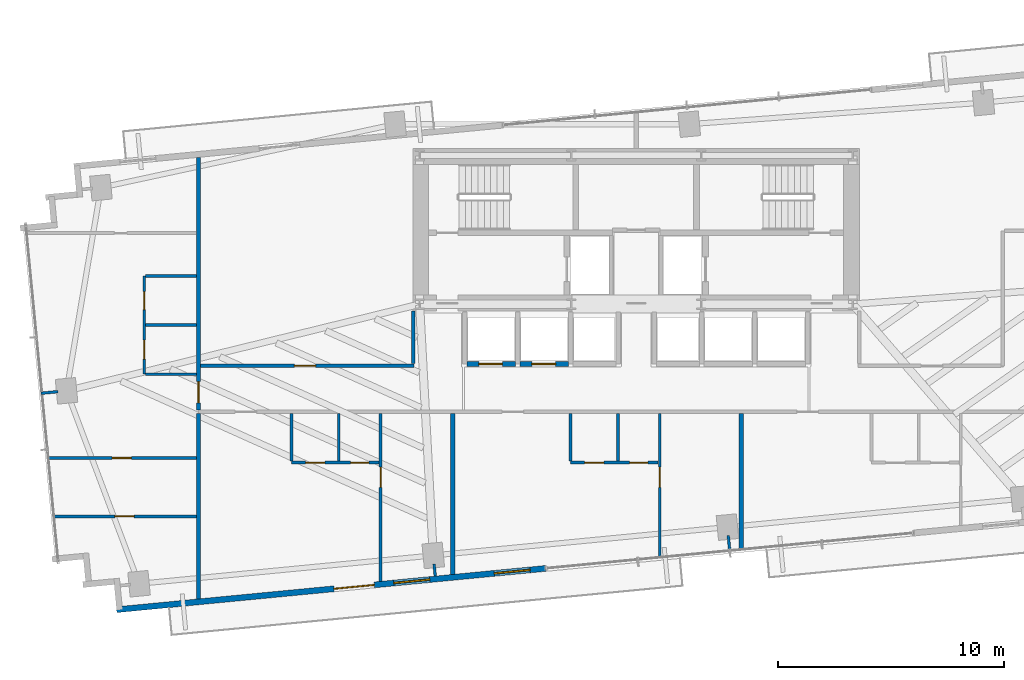
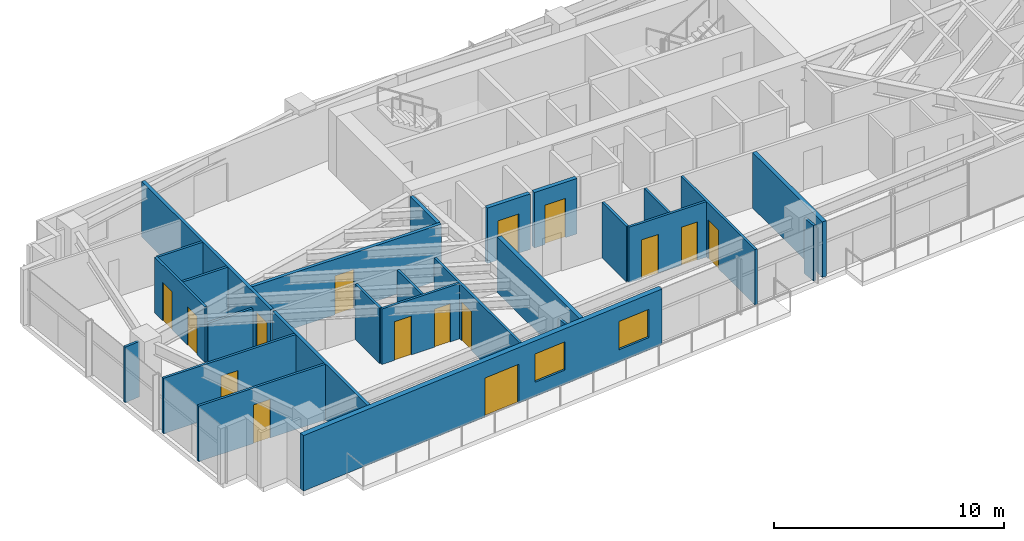
# One storey, part 21 of 27: 26 walls, 15 doors, 2 windows, 17 openings.
"""IFC4 building model written with IfcOpenShell, lengths in metres."""

from ifc_helpers import new_model, si_unit, direction, frame, frame_2d, origin, place, context, subcontext, project, spatial, rectangle, extrude, source, transform, mapped, material, layer, layer_set, type_object, type_shapes, element, fill, save


model = new_model("IFC4")

# Units and contexts
model_context = context("Model", 3, precision=1e-05, world=origin(), true_north=direction((0.0, 1.0)))
body_context = subcontext(model_context, "Body", "Model", "MODEL_VIEW")
ifc_project = project(units=[si_unit("LENGTHUNIT", "METRE"), si_unit("AREAUNIT", "SQUARE_METRE"), si_unit("VOLUMEUNIT", "CUBIC_METRE"), si_unit("PLANEANGLEUNIT", "RADIAN"), si_unit("MASSUNIT", "GRAM", prefix="KILO")], contexts=[model_context])

# Site, building, storey
site_placement = place(None, origin())
site = spatial("IfcSite", under=ifc_project, at=site_placement, CompositionType="ELEMENT")
building_placement = place(site_placement, origin())
building = spatial("IfcBuilding", under=site, at=building_placement, Name="Astriad Promenade Condominiums", CompositionType="ELEMENT")
storey_placement = place(building_placement, frame((0.0, 0.0, 93.800048828125)))
storey = spatial("IfcBuildingStorey", under=building, at=storey_placement, Name="L26", CompositionType="ELEMENT", Elevation=93.800048828125)

# Wall
ifc_material_1 = material(Name="Fire-Rated Gypsum Partition")
ifc_layer_1 = layer(ifc_material_1, 0.159912109375)
ifc_layer_set_1 = layer_set([ifc_layer_1], Name="Fire-Rated Gypsum Partition")
wall_type_1 = type_object("IfcWallType", Name="WALL-CORR-160", PredefinedType="PARTITIONING", material=ifc_layer_set_1)
wall_1_placement = place(storey_placement, frame((16.60009765625, 4.3408203125, 0.0), z_axis=(0.0, 0.0, 1.0), x_axis=(0.0, 1.0, 0.0)))
element("IfcWall", 1, at=wall_1_placement, inside=storey, type_object=wall_type_1, Name="PT-COR-W-L26", PredefinedType="PARTITIONING", context=body_context, shape_type="SweptSolid", body=[
    extrude(rectangle(XDim=8.207275390625, YDim=0.159912109375, at=frame_2d((4.103515625, 0.0))), origin(), (0.0, 0.0, 1.0), 2.93994140625),
])

# Wall, opening, door
wall_2_placement = place(storey_placement, frame((16.60009765625, 12.7119140625, 0.0), z_axis=(0.0, 0.0, 1.0), x_axis=(0.0, 1.0, 0.0)))
wall_2 = element("IfcWall", 2, at=wall_2_placement, inside=storey, type_object=wall_type_1, Name="PT-COR-W-L26-S2", PredefinedType="PARTITIONING", context=body_context, shape_type="SweptSolid", body=[
    extrude(rectangle(XDim=11.195068359375, YDim=0.159912109375, at=frame_2d((5.59765625, 0.0))), origin(), (0.0, 0.0, 1.0), 2.93994140625),
])
opening_1_placement = place(wall_2_placement, frame((0.31201171875, 0.0, 0.0)))
opening_1 = element("IfcOpeningElement", 3, at=opening_1_placement, cuts=wall_2, Name="Opening FD60-APT-095", PredefinedType="OPENING", context=body_context, shape_type="SweptSolid", body=[
    extrude(rectangle(XDim=0.949951171875, YDim=2.06005859375, at=frame_2d((0.47509765625, 1.030029296875))), frame((0.0, 0.08984375, 0.0), z_axis=(0.0, -1.0, 0.0), x_axis=(1.0, 0.0, 0.0)), (0.0, 0.0, 1.0), 0.179931640625),
])
ifc_material_2 = material(Name="Solid-Core Acoustic Timber Residence Entry Door", Category="wood")
door_type_1 = type_object("IfcDoorType", Name="FD60-APT-095", OperationType="NOTDEFINED", PredefinedType="DOOR", material=ifc_material_2)
shared_shape_1 = source(origin(), body_context, "Body", "SweptSolid", [
    extrude(rectangle(XDim=0.949951171875, YDim=2.06005859375, at=frame_2d((0.47509765625, 1.030029296875))), frame((0.0, 0.02490234375, 0.0), z_axis=(0.0, -1.0, 0.0), x_axis=(1.0, 0.0, 0.0)), (0.0, 0.0, 1.0), 0.050048828125),
])
type_shapes(door_type_1, [shared_shape_1])
door_1_placement = place(opening_1_placement, origin())
door_1 = element("IfcDoor", 4, at=door_1_placement, inside=storey, type_object=door_type_1, Name="D-ENT-L26-W1", OperationType="SINGLE_SWING_LEFT", OverallHeight=2.06005859375, OverallWidth=0.949951171875, PredefinedType="DOOR", context=body_context, shape_type="MappedRepresentation", body=[
    mapped(shared_shape_1, transform((0.0, 0.0, 0.0), scale=1.0)),
])
fill(opening_1, door_1)

wall_3_placement = place(storey_placement, frame((16.681884765625, 14.679931640625, 0.0), z_axis=(0.0, 0.0, 1.0), x_axis=(1.0, 0.0, 0.0)))
wall_3 = element("IfcWall", 5, at=wall_3_placement, inside=storey, type_object=wall_type_1, Name="PT-FLK-NW-L26", PredefinedType="PARTITIONING", context=body_context, shape_type="SweptSolid", body=[
    extrude(rectangle(XDim=9.47802734375, YDim=0.159912109375, at=frame_2d((4.739013671875, 0.0))), origin(), (0.0, 0.0, 1.0), 2.93994140625),
])
opening_2_placement = place(wall_3_placement, frame((4.1630859375, 0.0, 0.0)))
opening_2 = element("IfcOpeningElement", 6, at=opening_2_placement, cuts=wall_3, Name="Opening FD60-APT-095", PredefinedType="OPENING", context=body_context, shape_type="SweptSolid", body=[
    extrude(rectangle(XDim=0.949951171875, YDim=2.06005859375, at=frame_2d((0.47509765625, 1.030029296875))), frame((0.0, 0.08984375, 0.0), z_axis=(0.0, -1.0, 0.0), x_axis=(1.0, 0.0, 0.0)), (0.0, 0.0, 1.0), 0.179931640625),
])
door_2_placement = place(opening_2_placement, origin())
door_2 = element("IfcDoor", 7, at=door_2_placement, inside=storey, type_object=door_type_1, Name="D-NWA-L26", OperationType="SINGLE_SWING_RIGHT", OverallHeight=2.06005859375, OverallWidth=0.949951171875, PredefinedType="DOOR", context=body_context, shape_type="MappedRepresentation", body=[
    mapped(shared_shape_1, transform((0.0, 0.0, 0.0), scale=1.0)),
])
fill(opening_2, door_2)

# Walls
wall_4_placement = place(storey_placement, frame((26.1201171875, 14.761962890625, 0.0), z_axis=(0.0, 0.0, 1.0), x_axis=(0.0, 1.0, 0.0)))
element("IfcWall", 8, at=wall_4_placement, inside=storey, type_object=wall_type_1, Name="PT-WSPUR-W-L26", PredefinedType="PARTITIONING", context=body_context, shape_type="SweptSolid", body=[
    extrude(rectangle(XDim=2.3359375, YDim=0.159912109375, at=frame_2d((1.16796875, 0.0))), origin(), (0.0, 0.0, 1.0), 2.93994140625),
])
ifc_material_3 = material(Name="Acoustic Double-Stud Gypsum Partition")
ifc_layer_2 = layer(ifc_material_3, 0.199951171875)
ifc_layer_set_2 = layer_set([ifc_layer_2], Name="Acoustic Double-Stud Gypsum Partition")
wall_type_2 = type_object("IfcWallType", Name="WALL-DEMISING-200", PredefinedType="PARTITIONING", material=ifc_layer_set_2)
wall_5_placement = place(storey_placement, frame((27.8798828125, 5.427001953125, 0.0), z_axis=(0.0, 0.0, 1.0), x_axis=(0.0, 1.0, 0.0)))
element("IfcWall", 9, at=wall_5_placement, inside=storey, type_object=wall_type_2, Name="PT-DEM-S1-L26", PredefinedType="PARTITIONING", context=body_context, shape_type="SweptSolid", body=[
    extrude(rectangle(XDim=7.12109375, YDim=0.199951171875, at=frame_2d((3.560546875, 0.0))), origin(), (0.0, 0.0, 1.0), 2.93994140625),
])
wall_6_placement = place(storey_placement, frame((40.6640625, 6.47509765625, 0.0), z_axis=(0.0, 0.0, 1.0), x_axis=(0.0, 1.0, 0.0)))
element("IfcWall", 10, at=wall_6_placement, inside=storey, type_object=wall_type_2, Name="PT-DEM-S2-L26", PredefinedType="PARTITIONING", context=body_context, shape_type="SweptSolid", body=[
    extrude(rectangle(XDim=6.072998046875, YDim=0.199951171875, at=frame_2d((3.03662109375, 0.0))), origin(), (0.0, 0.0, 1.0), 2.93994140625),
])

# Wall, openings, door, windows
ifc_material_4 = material(Name="Precast concrete C50/60", Category="concrete")
ifc_layer_3 = layer(ifc_material_4, 0.260009765625)
ifc_layer_set_3 = layer_set([ifc_layer_3], Name="Precast concrete C50/60")
wall_type_3 = type_object("IfcWallType", Name="WALL-EXT-TWR-260", PredefinedType="STANDARD", material=ifc_layer_set_3)
wall_7_placement = place(storey_placement, frame((31.99365234375, 5.6904296875, 0.0), z_axis=(0.0, 0.0, 1.0), x_axis=(-0.995396521236, -0.095842399342, 0.0)))
wall_7 = element("IfcWall", 11, at=wall_7_placement, inside=storey, type_object=wall_type_3, Name="W-EXT-L26-S2", PredefinedType="STANDARD", context=body_context, shape_type="SweptSolid", body=[
    extrude(rectangle(XDim=19.10986328125, YDim=0.260009765625, at=frame_2d((9.554931640625, 0.0))), origin(), (0.0, 0.0, 1.0), 2.93994140625),
])
opening_3_placement = place(wall_7_placement, frame((7.6298828125, 0.0, 0.0)))
opening_3 = element("IfcOpeningElement", 12, at=opening_3_placement, cuts=wall_7, Name="Opening BD-1822-SLD", PredefinedType="OPENING", context=body_context, shape_type="SweptSolid", body=[
    extrude(rectangle(XDim=1.800048828125, YDim=2.06005859375, at=frame_2d((0.89990234375, 1.030029296875))), frame((0.0, 0.139892578125, 0.0), z_axis=(0.0, -1.0, 0.0), x_axis=(1.0, 0.0, 0.0)), (0.0, 0.0, 1.0), 0.280029296875),
])
opening_4_placement = place(wall_7_placement, frame((0.699951171875, 0.0, 0.64990234375)))
opening_4 = element("IfcOpeningElement", 13, at=opening_4_placement, cuts=wall_7, Name="Opening WIN-TWR-1620", PredefinedType="OPENING", context=body_context, shape_type="SweptSolid", body=[
    extrude(rectangle(XDim=1.60009765625, YDim=1.5, at=frame_2d((0.800048828125, 0.75))), frame((0.0, 0.139892578125, 0.0), z_axis=(0.0, -1.0, 0.0), x_axis=(1.0, 0.0, 0.0)), (0.0, 0.0, 1.0), 0.280029296875),
])
opening_5_placement = place(wall_7_placement, frame((5.1669921875, 0.0, 0.75)))
opening_5 = element("IfcOpeningElement", 14, at=opening_5_placement, cuts=wall_7, Name="Opening WIN-TWR-1620", PredefinedType="OPENING", context=body_context, shape_type="SweptSolid", body=[
    extrude(rectangle(XDim=1.60009765625, YDim=1.5, at=frame_2d((0.800048828125, 0.75))), frame((0.0, 0.139892578125, 0.0), z_axis=(0.0, -1.0, 0.0), x_axis=(1.0, 0.0, 0.0)), (0.0, 0.0, 1.0), 0.280029296875),
])
ifc_material_5 = material(Name="Thermally Broken Aluminium Sliding Balcony Door", Category="aluminium")
door_type_2 = type_object("IfcDoorType", Name="BD-1822-SLD", OperationType="NOTDEFINED", PredefinedType="DOOR", material=ifc_material_5)
shared_shape_2 = source(origin(), body_context, "Body", "SweptSolid", [
    extrude(rectangle(XDim=1.800048828125, YDim=2.06005859375, at=frame_2d((0.89990234375, 1.030029296875))), frame((0.0, 0.02490234375, 0.0), z_axis=(0.0, -1.0, 0.0), x_axis=(1.0, 0.0, 0.0)), (0.0, 0.0, 1.0), 0.050048828125),
])
type_shapes(door_type_2, [shared_shape_2])
door_3_placement = place(opening_3_placement, origin())
door_3 = element("IfcDoor", 15, at=door_3_placement, inside=storey, type_object=door_type_2, Name="BD-L26-SW", OperationType="SLIDING_TO_LEFT", OverallHeight=2.06005859375, OverallWidth=1.800048828125, PredefinedType="DOOR", context=body_context, shape_type="MappedRepresentation", body=[
    mapped(shared_shape_2, transform((0.0, 0.0, 0.0), scale=1.0)),
])
fill(opening_3, door_3)
ifc_material_6 = material(Name="Dark Tinted Triple-Glazed Aluminium Window", Category="aluminium")
window_type = type_object("IfcWindowType", Name="WIN-TWR-1620", PartitioningType="SINGLE_PANEL", PredefinedType="WINDOW", material=ifc_material_6)
shared_shape_3 = source(origin(), body_context, "Body", "SweptSolid", [
    extrude(rectangle(XDim=1.60009765625, YDim=1.5, at=frame_2d((0.800048828125, 0.75))), frame((0.0, 0.030029296875, 0.0), z_axis=(0.0, -1.0, 0.0), x_axis=(1.0, 0.0, 0.0)), (0.0, 0.0, 1.0), 0.06005859375),
])
type_shapes(window_type, [shared_shape_3])
window_1_placement = place(opening_4_placement, origin())
window_1 = element("IfcWindow", 16, at=window_1_placement, inside=storey, type_object=window_type, Name="WIN-L26-SW", OverallHeight=1.5, OverallWidth=1.60009765625, PartitioningType="SINGLE_PANEL", PredefinedType="WINDOW", context=body_context, shape_type="MappedRepresentation", body=[
    mapped(shared_shape_3, transform((0.0, 0.0, 0.0), scale=1.0)),
])
fill(opening_4, window_1)
window_2_placement = place(opening_5_placement, origin())
window_2 = element("IfcWindow", 17, at=window_2_placement, inside=storey, type_object=window_type, Name="WIN-DW-L26-S1-BD1", OverallHeight=1.5, OverallWidth=1.60009765625, PartitioningType="SINGLE_PANEL", PredefinedType="WINDOW", context=body_context, shape_type="MappedRepresentation", body=[
    mapped(shared_shape_3, transform((0.0, 0.0, 0.0), scale=1.0)),
])
fill(opening_5, window_2)

# Wall, opening, door
ifc_material_7 = material(Name="Acoustic Metal-Stud Gypsum Partition")
ifc_layer_4 = layer(ifc_material_7, 0.1201171875)
ifc_layer_set_4 = layer_set([ifc_layer_4], Name="Acoustic Metal-Stud Gypsum Partition")
wall_type_4 = type_object("IfcWallType", Name="WALL-PART-120", PredefinedType="PARTITIONING", material=ifc_layer_set_4)
wall_8_placement = place(storey_placement, frame((24.672119140625, 5.117919921875, 0.0), z_axis=(0.0, 0.0, 1.0), x_axis=(0.0, 1.0, 0.0)))
wall_8 = element("IfcWall", 18, at=wall_8_placement, inside=storey, type_object=wall_type_4, Name="PT-L26-S1-BD1", PredefinedType="PARTITIONING", context=body_context, shape_type="SweptSolid", body=[
    extrude(rectangle(XDim=7.43017578125, YDim=0.1201171875, at=frame_2d((3.715087890625, 0.0))), origin(), (0.0, 0.0, 1.0), 2.93994140625),
])
opening_6_placement = place(wall_8_placement, frame((4.162109375, 0.0, 0.0)))
opening_6 = element("IfcOpeningElement", 19, at=opening_6_placement, cuts=wall_8, Name="Opening D-INT-090", PredefinedType="OPENING", context=body_context, shape_type="SweptSolid", body=[
    extrude(rectangle(XDim=0.89990234375, YDim=2.050048828125, at=frame_2d((0.449951171875, 1.02490234375))), frame((0.0, 0.070068359375, 0.0), z_axis=(0.0, -1.0, 0.0), x_axis=(1.0, 0.0, 0.0)), (0.0, 0.0, 1.0), 0.14013671875),
])
ifc_material_8 = material(Name="Painted Solid-Core Timber Bedroom Door", Category="wood")
door_type_3 = type_object("IfcDoorType", Name="D-INT-090", OperationType="NOTDEFINED", PredefinedType="DOOR", material=ifc_material_8)
shared_shape_4 = source(origin(), body_context, "Body", "SweptSolid", [
    extrude(rectangle(XDim=0.89990234375, YDim=2.050048828125, at=frame_2d((0.449951171875, 1.02490234375))), frame((0.0, 0.02490234375, 0.0), z_axis=(0.0, -1.0, 0.0), x_axis=(1.0, 0.0, 0.0)), (0.0, 0.0, 1.0), 0.050048828125),
])
type_shapes(door_type_3, [shared_shape_4])
door_4_placement = place(opening_6_placement, origin())
door_4 = element("IfcDoor", 20, at=door_4_placement, inside=storey, type_object=door_type_3, Name="D-BD1-L26-S1", OperationType="SINGLE_SWING_RIGHT", OverallHeight=2.050048828125, OverallWidth=0.89990234375, PredefinedType="DOOR", context=body_context, shape_type="MappedRepresentation", body=[
    mapped(shared_shape_4, transform((0.0, 0.0, 0.0), scale=1.0)),
])
fill(opening_6, door_4)

# Wall, openings, doors
wall_9_placement = place(storey_placement, frame((20.721923828125, 10.3798828125, 0.0), z_axis=(0.0, 0.0, 1.0), x_axis=(1.0, 0.0, 0.0)))
wall_9 = element("IfcWall", 21, at=wall_9_placement, inside=storey, type_object=wall_type_4, Name="PT-L26-S1-PS", PredefinedType="PARTITIONING", context=body_context, shape_type="SweptSolid", body=[
    extrude(rectangle(XDim=3.88818359375, YDim=0.1201171875, at=frame_2d((1.944091796875, 0.0))), origin(), (0.0, 0.0, 1.0), 2.93994140625),
])
opening_7_placement = place(wall_9_placement, frame((0.625, 0.0, 0.0)))
opening_7 = element("IfcOpeningElement", 22, at=opening_7_placement, cuts=wall_9, Name="Opening D-INT-085", PredefinedType="OPENING", context=body_context, shape_type="SweptSolid", body=[
    extrude(rectangle(XDim=0.85009765625, YDim=2.050048828125, at=frame_2d((0.425048828125, 1.02490234375))), frame((0.0, 0.070068359375, 0.0), z_axis=(0.0, -1.0, 0.0), x_axis=(1.0, 0.0, 0.0)), (0.0, 0.0, 1.0), 0.14013671875),
])
opening_8_placement = place(wall_9_placement, frame((2.625, 0.0, 0.0)))
opening_8 = element("IfcOpeningElement", 23, at=opening_8_placement, cuts=wall_9, Name="Opening D-WET-080", PredefinedType="OPENING", context=body_context, shape_type="SweptSolid", body=[
    extrude(rectangle(XDim=0.800048828125, YDim=2.02001953125, at=frame_2d((0.39990234375, 1.010009765625))), frame((0.0, 0.070068359375, 0.0), z_axis=(0.0, -1.0, 0.0), x_axis=(1.0, 0.0, 0.0)), (0.0, 0.0, 1.0), 0.14013671875),
])
ifc_material_9 = material(Name="Moisture-Resistant Timber Bathroom Door", Category="wood")
door_type_4 = type_object("IfcDoorType", Name="D-WET-080", OperationType="NOTDEFINED", PredefinedType="DOOR", material=ifc_material_9)
shared_shape_5 = source(origin(), body_context, "Body", "SweptSolid", [
    extrude(rectangle(XDim=0.800048828125, YDim=2.02001953125, at=frame_2d((0.39990234375, 1.010009765625))), frame((0.0, 0.02490234375, 0.0), z_axis=(0.0, -1.0, 0.0), x_axis=(1.0, 0.0, 0.0)), (0.0, 0.0, 1.0), 0.050048828125),
])
type_shapes(door_type_4, [shared_shape_5])
door_5_placement = place(opening_8_placement, origin())
door_5 = element("IfcDoor", 24, at=door_5_placement, inside=storey, type_object=door_type_4, Name="D-BTH-L26-S1", OperationType="SINGLE_SWING_RIGHT", OverallHeight=2.02001953125, OverallWidth=0.800048828125, PredefinedType="DOOR", context=body_context, shape_type="MappedRepresentation", body=[
    mapped(shared_shape_5, transform((0.0, 0.0, 0.0), scale=1.0)),
])
fill(opening_8, door_5)
ifc_material_10 = material(Name="Painted Solid-Core Timber Room Door", Category="wood")
door_type_5 = type_object("IfcDoorType", Name="D-INT-085", OperationType="NOTDEFINED", PredefinedType="DOOR", material=ifc_material_10)
shared_shape_6 = source(origin(), body_context, "Body", "SweptSolid", [
    extrude(rectangle(XDim=0.85009765625, YDim=2.050048828125, at=frame_2d((0.425048828125, 1.02490234375))), frame((0.0, 0.02490234375, 0.0), z_axis=(0.0, -1.0, 0.0), x_axis=(1.0, 0.0, 0.0)), (0.0, 0.0, 1.0), 0.050048828125),
])
type_shapes(door_type_5, [shared_shape_6])
door_6_placement = place(opening_7_placement, origin())
door_6 = element("IfcDoor", 25, at=door_6_placement, inside=storey, type_object=door_type_5, Name="D-KIT-L26-S1", OperationType="SINGLE_SWING_LEFT", OverallHeight=2.050048828125, OverallWidth=0.85009765625, PredefinedType="DOOR", context=body_context, shape_type="MappedRepresentation", body=[
    mapped(shared_shape_6, transform((0.0, 0.0, 0.0), scale=1.0)),
])
fill(opening_7, door_6)

# Walls
for number, where, z_axis, x_axis, name in (
    (26, (22.822021484375, 10.44189453125, 0.0), (0.0, 0.0, 1.0), (0.0, 1.0, 0.0), "PT-L26-S1-PBK"),
    (27, (20.721923828125, 10.44189453125, 0.0), (0.0, 0.0, 1.0), (0.0, 1.0, 0.0), "PT-L26-S1-PKW"),
):
    element("IfcWall", number, at=place(storey_placement, frame(where, z_axis=z_axis, x_axis=x_axis)), inside=storey, type_object=wall_type_4, Name=name, PredefinedType="PARTITIONING", context=body_context, shape_type="SweptSolid", body=[
        extrude(rectangle(XDim=2.106201171875, YDim=0.1201171875, at=frame_2d((1.05322265625, 0.0))), origin(), (0.0, 0.0, 1.0), 2.93994140625),
    ])

# Wall, opening, door
wall_10_placement = place(storey_placement, frame((37.0400390625, 6.126220703125, 0.0), z_axis=(0.0, 0.0, 1.0), x_axis=(0.0, 1.0, 0.0)))
wall_10 = element("IfcWall", 28, at=wall_10_placement, inside=storey, type_object=wall_type_4, Name="PT-L26-S2-BD1", PredefinedType="PARTITIONING", context=body_context, shape_type="SweptSolid", body=[
    extrude(rectangle(XDim=6.421875, YDim=0.1201171875, at=frame_2d((3.2109375, 0.0))), origin(), (0.0, 0.0, 1.0), 2.93994140625),
])
opening_9_placement = place(wall_10_placement, frame((3.15380859375, 0.0, 0.0)))
opening_9 = element("IfcOpeningElement", 29, at=opening_9_placement, cuts=wall_10, Name="Opening D-INT-090", PredefinedType="OPENING", context=body_context, shape_type="SweptSolid", body=[
    extrude(rectangle(XDim=0.89990234375, YDim=2.050048828125, at=frame_2d((0.449951171875, 1.02490234375))), frame((0.0, 0.070068359375, 0.0), z_axis=(0.0, -1.0, 0.0), x_axis=(1.0, 0.0, 0.0)), (0.0, 0.0, 1.0), 0.14013671875),
])
door_7_placement = place(opening_9_placement, origin())
door_7 = element("IfcDoor", 30, at=door_7_placement, inside=storey, type_object=door_type_3, Name="D-BD1-L26-S2", OperationType="SINGLE_SWING_RIGHT", OverallHeight=2.050048828125, OverallWidth=0.89990234375, PredefinedType="DOOR", context=body_context, shape_type="MappedRepresentation", body=[
    mapped(shared_shape_4, transform((0.0, 0.0, 0.0), scale=1.0)),
])
fill(opening_9, door_7)

# Wall, openings, doors
wall_11_placement = place(storey_placement, frame((33.090087890625, 10.3798828125, 0.0), z_axis=(0.0, 0.0, 1.0), x_axis=(1.0, 0.0, 0.0)))
wall_11 = element("IfcWall", 31, at=wall_11_placement, inside=storey, type_object=wall_type_4, Name="PT-L26-S2-PS", PredefinedType="PARTITIONING", context=body_context, shape_type="SweptSolid", body=[
    extrude(rectangle(XDim=3.887939453125, YDim=0.1201171875, at=frame_2d((1.94384765625, 0.0))), origin(), (0.0, 0.0, 1.0), 2.93994140625),
])
opening_10_placement = place(wall_11_placement, frame((0.625, 0.0, 0.0)))
opening_10 = element("IfcOpeningElement", 32, at=opening_10_placement, cuts=wall_11, Name="Opening D-INT-085", PredefinedType="OPENING", context=body_context, shape_type="SweptSolid", body=[
    extrude(rectangle(XDim=0.85009765625, YDim=2.050048828125, at=frame_2d((0.425048828125, 1.02490234375))), frame((0.0, 0.070068359375, 0.0), z_axis=(0.0, -1.0, 0.0), x_axis=(1.0, 0.0, 0.0)), (0.0, 0.0, 1.0), 0.14013671875),
])
opening_11_placement = place(wall_11_placement, frame((2.625, 0.0, 0.0)))
opening_11 = element("IfcOpeningElement", 33, at=opening_11_placement, cuts=wall_11, Name="Opening D-WET-080", PredefinedType="OPENING", context=body_context, shape_type="SweptSolid", body=[
    extrude(rectangle(XDim=0.800048828125, YDim=2.02001953125, at=frame_2d((0.39990234375, 1.010009765625))), frame((0.0, 0.070068359375, 0.0), z_axis=(0.0, -1.0, 0.0), x_axis=(1.0, 0.0, 0.0)), (0.0, 0.0, 1.0), 0.14013671875),
])
door_8_placement = place(opening_11_placement, origin())
door_8 = element("IfcDoor", 34, at=door_8_placement, inside=storey, type_object=door_type_4, Name="D-BTH-L26-S2", OperationType="SINGLE_SWING_RIGHT", OverallHeight=2.02001953125, OverallWidth=0.800048828125, PredefinedType="DOOR", context=body_context, shape_type="MappedRepresentation", body=[
    mapped(shared_shape_5, transform((0.0, 0.0, 0.0), scale=1.0)),
])
fill(opening_11, door_8)
door_9_placement = place(opening_10_placement, origin())
door_9 = element("IfcDoor", 35, at=door_9_placement, inside=storey, type_object=door_type_5, Name="D-KIT-L26-S2", OperationType="SINGLE_SWING_LEFT", OverallHeight=2.050048828125, OverallWidth=0.85009765625, PredefinedType="DOOR", context=body_context, shape_type="MappedRepresentation", body=[
    mapped(shared_shape_6, transform((0.0, 0.0, 0.0), scale=1.0)),
])
fill(opening_10, door_9)

# Walls
for number, where, z_axis, x_axis, name in (
    (36, (35.18994140625, 10.44189453125, 0.0), (0.0, 0.0, 1.0), (0.0, 1.0, 0.0), "PT-L26-S2-PBK"),
    (37, (33.090087890625, 10.44189453125, 0.0), (0.0, 0.0, 1.0), (0.0, 1.0, 0.0), "PT-L26-S2-PKW"),
):
    element("IfcWall", number, at=place(storey_placement, frame(where, z_axis=z_axis, x_axis=x_axis)), inside=storey, type_object=wall_type_4, Name=name, PredefinedType="PARTITIONING", context=body_context, shape_type="SweptSolid", body=[
        extrude(rectangle(XDim=2.106201171875, YDim=0.1201171875, at=frame_2d((1.05322265625, 0.0))), origin(), (0.0, 0.0, 1.0), 2.93994140625),
    ])

# Wall, openings, doors
wall_12_placement = place(storey_placement, frame((14.199951171875, 14.299072265625, 0.0), z_axis=(0.0, 0.0, 1.0), x_axis=(0.0, 1.0, 0.0)))
wall_12 = element("IfcWall", 38, at=wall_12_placement, inside=storey, type_object=wall_type_4, Name="PT-L26-W1-PV", PredefinedType="PARTITIONING", context=body_context, shape_type="SweptSolid", body=[
    extrude(rectangle(XDim=4.349853515625, YDim=0.1201171875, at=frame_2d((2.1748046875, 0.0))), origin(), (0.0, 0.0, 1.0), 2.93994140625),
])
opening_12_placement = place(wall_12_placement, frame((0.662109375, 0.0, 0.0)))
opening_12 = element("IfcOpeningElement", 39, at=opening_12_placement, cuts=wall_12, Name="Opening D-INT-085", PredefinedType="OPENING", context=body_context, shape_type="SweptSolid", body=[
    extrude(rectangle(XDim=0.85009765625, YDim=2.050048828125, at=frame_2d((0.425048828125, 1.02490234375))), frame((0.0, 0.070068359375, 0.0), z_axis=(0.0, -1.0, 0.0), x_axis=(1.0, 0.0, 0.0)), (0.0, 0.0, 1.0), 0.14013671875),
])
opening_13_placement = place(wall_12_placement, frame((2.863037109375, 0.0, 0.0)))
opening_13 = element("IfcOpeningElement", 40, at=opening_13_placement, cuts=wall_12, Name="Opening D-WET-080", PredefinedType="OPENING", context=body_context, shape_type="SweptSolid", body=[
    extrude(rectangle(XDim=0.800048828125, YDim=2.02001953125, at=frame_2d((0.39990234375, 1.010009765625))), frame((0.0, 0.070068359375, 0.0), z_axis=(0.0, -1.0, 0.0), x_axis=(1.0, 0.0, 0.0)), (0.0, 0.0, 1.0), 0.14013671875),
])
door_10_placement = place(opening_13_placement, origin())
door_10 = element("IfcDoor", 41, at=door_10_placement, inside=storey, type_object=door_type_4, Name="D-BTH-L26-W1", OperationType="SINGLE_SWING_LEFT", OverallHeight=2.02001953125, OverallWidth=0.800048828125, PredefinedType="DOOR", context=body_context, shape_type="MappedRepresentation", body=[
    mapped(shared_shape_5, transform((0.0, 0.0, 0.0), scale=1.0)),
])
fill(opening_13, door_10)
door_11_placement = place(opening_12_placement, origin())
door_11 = element("IfcDoor", 42, at=door_11_placement, inside=storey, type_object=door_type_5, Name="D-KIT-L26-W1", OperationType="SINGLE_SWING_RIGHT", OverallHeight=2.050048828125, OverallWidth=0.85009765625, PredefinedType="DOOR", context=body_context, shape_type="MappedRepresentation", body=[
    mapped(shared_shape_6, transform((0.0, 0.0, 0.0), scale=1.0)),
])
fill(opening_12, door_11)

# Walls
wall_13_placement = place(storey_placement, frame((14.261962890625, 16.47412109375, 0.0), z_axis=(0.0, 0.0, 1.0), x_axis=(1.0, 0.0, 0.0)))
element("IfcWall", 43, at=wall_13_placement, inside=storey, type_object=wall_type_4, Name="PT-L26-W1-PM", PredefinedType="PARTITIONING", context=body_context, shape_type="SweptSolid", body=[
    extrude(rectangle(XDim=2.256103515625, YDim=0.1201171875, at=frame_2d((1.1279296875, 0.0))), origin(), (0.0, 0.0, 1.0), 2.93994140625),
])
wall_14_placement = place(storey_placement, frame((14.261962890625, 14.299072265625, 0.0), z_axis=(0.0, 0.0, 1.0), x_axis=(1.0, 0.0, 0.0)))
element("IfcWall", 44, at=wall_14_placement, inside=storey, type_object=wall_type_4, Name="PT-L26-W1-PS", PredefinedType="PARTITIONING", context=body_context, shape_type="SweptSolid", body=[
    extrude(rectangle(XDim=2.256103515625, YDim=0.1201171875, at=frame_2d((1.1279296875, 0.0))), origin(), (0.0, 0.0, 1.0), 2.06298828125),
])
wall_15_placement = place(storey_placement, frame((14.261962890625, 18.64892578125, 0.0), z_axis=(0.0, 0.0, 1.0), x_axis=(1.0, 0.0, 0.0)))
element("IfcWall", 45, at=wall_15_placement, inside=storey, type_object=wall_type_4, Name="PT-L26-W1-PN", PredefinedType="PARTITIONING", context=body_context, shape_type="SweptSolid", body=[
    extrude(rectangle(XDim=2.256103515625, YDim=0.1201171875, at=frame_2d((1.1279296875, 0.0))), origin(), (0.0, 0.0, 1.0), 2.93994140625),
])

# Wall, opening, door
wall_16_placement = place(storey_placement, frame((10.14208984375, 7.9951171875, 0.0), z_axis=(0.0, 0.0, 1.0), x_axis=(1.0, 0.0, 0.0)))
wall_16 = element("IfcWall", 46, at=wall_16_placement, inside=storey, type_object=wall_type_4, Name="PT-L26-W1-WDS1", PredefinedType="PARTITIONING", context=body_context, shape_type="SweptSolid", body=[
    extrude(rectangle(XDim=6.3759765625, YDim=0.1201171875, at=frame_2d((3.18798828125, 0.0))), origin(), (0.0, 0.0, 1.0), 2.93994140625),
])
opening_14_placement = place(wall_16_placement, frame((2.7568359375, 0.0, 0.0)))
opening_14 = element("IfcOpeningElement", 47, at=opening_14_placement, cuts=wall_16, Name="Opening D-INT-085", PredefinedType="OPENING", context=body_context, shape_type="SweptSolid", body=[
    extrude(rectangle(XDim=0.85009765625, YDim=2.050048828125, at=frame_2d((0.425048828125, 1.02490234375))), frame((0.0, 0.070068359375, 0.0), z_axis=(0.0, -1.0, 0.0), x_axis=(1.0, 0.0, 0.0)), (0.0, 0.0, 1.0), 0.14013671875),
])
door_12_placement = place(opening_14_placement, origin())
door_12 = element("IfcDoor", 48, at=door_12_placement, inside=storey, type_object=door_type_5, Name="D-WDS1-L26-W1", OperationType="SINGLE_SWING_LEFT", OverallHeight=2.050048828125, OverallWidth=0.85009765625, PredefinedType="DOOR", context=body_context, shape_type="MappedRepresentation", body=[
    mapped(shared_shape_6, transform((0.0, 0.0, 0.0), scale=1.0)),
])
fill(opening_14, door_12)

wall_17_placement = place(storey_placement, frame((9.89306640625, 10.58203125, 0.0), z_axis=(0.0, 0.0, 1.0), x_axis=(1.0, 0.0, 0.0)))
wall_17 = element("IfcWall", 49, at=wall_17_placement, inside=storey, type_object=wall_type_4, Name="PT-L26-W1-WDS2", PredefinedType="PARTITIONING", context=body_context, shape_type="SweptSolid", body=[
    extrude(rectangle(XDim=6.625, YDim=0.1201171875, at=frame_2d((3.3125, 0.0))), origin(), (0.0, 0.0, 1.0), 2.93994140625),
])
opening_15_placement = place(wall_17_placement, frame((2.880859375, 0.0, 0.0)))
opening_15 = element("IfcOpeningElement", 50, at=opening_15_placement, cuts=wall_17, Name="Opening D-INT-085", PredefinedType="OPENING", context=body_context, shape_type="SweptSolid", body=[
    extrude(rectangle(XDim=0.85009765625, YDim=2.050048828125, at=frame_2d((0.425048828125, 1.02490234375))), frame((0.0, 0.070068359375, 0.0), z_axis=(0.0, -1.0, 0.0), x_axis=(1.0, 0.0, 0.0)), (0.0, 0.0, 1.0), 0.14013671875),
])
door_13_placement = place(opening_15_placement, origin())
door_13 = element("IfcDoor", 51, at=door_13_placement, inside=storey, type_object=door_type_5, Name="D-WDS2-L26-W1", OperationType="SINGLE_SWING_RIGHT", OverallHeight=2.050048828125, OverallWidth=0.85009765625, PredefinedType="DOOR", context=body_context, shape_type="MappedRepresentation", body=[
    mapped(shared_shape_6, transform((0.0, 0.0, 0.0), scale=1.0)),
])
fill(opening_15, door_13)

# Walls
wall_18_placement = place(storey_placement, frame((27.0419921875, 5.88671875, 0.0), z_axis=(0.0, 0.0, 1.0), x_axis=(0.096222656154, -0.995359834654, 0.0)))
element("IfcWall", 52, at=wall_18_placement, inside=storey, type_object=wall_type_4, Name="PT-PIL-L26-PC02-9", PredefinedType="PARTITIONING", context=body_context, shape_type="SweptSolid", body=[
    extrude(rectangle(XDim=0.537841796875, YDim=0.1201171875, at=frame_2d((0.26904296875, 0.0))), origin(), (0.0, 0.0, 1.0), 2.93994140625),
])
wall_19_placement = place(storey_placement, frame((40.081787109375, 7.142333984375, 0.0), z_axis=(0.0, 0.0, 1.0), x_axis=(0.095944965663, -0.995386640238, 0.0)))
element("IfcWall", 53, at=wall_19_placement, inside=storey, type_object=wall_type_4, Name="PT-PIL-L26-PC03-10", PredefinedType="PARTITIONING", context=body_context, shape_type="SweptSolid", body=[
    extrude(rectangle(XDim=0.72021484375, YDim=0.1201171875, at=frame_2d((0.360107421875, 0.0))), origin(), (0.0, 0.0, 1.0), 2.93994140625),
])
wall_20_placement = place(storey_placement, frame((10.373291015625, 13.5244140625, 0.0), z_axis=(0.0, 0.0, 1.0), x_axis=(-0.995377786728, -0.096036772582, 0.0)))
element("IfcWall", 54, at=wall_20_placement, inside=storey, type_object=wall_type_4, Name="PT-PIL-L26-PC11-18", PredefinedType="PARTITIONING", context=body_context, shape_type="SweptSolid", body=[
    extrude(rectangle(XDim=0.760009765625, YDim=0.1201171875, at=frame_2d((0.3798828125, 0.0))), origin(), (0.0, 0.0, 1.0), 2.93994140625),
])

# Wall, opening, door
ifc_material_11 = material(Name="Gypsum Shaftliner Assembly")
ifc_layer_5 = layer(ifc_material_11, 0.199951171875)
ifc_layer_set_5 = layer_set([ifc_layer_5], Name="Gypsum Shaftliner Assembly")
wall_type_5 = type_object("IfcWallType", Name="WALL-SHAFT-200", PredefinedType="PARTITIONING", material=ifc_layer_set_5)
wall_21_placement = place(storey_placement, frame((28.501953125, 14.75, 0.0), z_axis=(0.0, 0.0, 1.0), x_axis=(1.0, 0.0, 0.0)))
wall_21 = element("IfcWall", 55, at=wall_21_placement, inside=storey, type_object=wall_type_5, Name="PL-L-FRT-L26", PredefinedType="PARTITIONING", context=body_context, shape_type="SweptSolid", body=[
    extrude(rectangle(XDim=2.14599609375, YDim=0.199951171875, at=frame_2d((1.072998046875, 0.0))), origin(), (0.0, 0.0, 1.0), 2.93994140625),
])
opening_16_placement = place(wall_21_placement, frame((0.52294921875, 0.0, 0.0)))
opening_16 = element("IfcOpeningElement", 56, at=opening_16_placement, cuts=wall_21, Name="Opening LD-PL-10522", PredefinedType="OPENING", context=body_context, shape_type="SweptSolid", body=[
    extrude(rectangle(XDim=1.050048828125, YDim=2.080078125, at=frame_2d((0.52490234375, 1.0400390625))), frame((0.0, 0.10986328125, 0.0), z_axis=(0.0, -1.0, 0.0), x_axis=(1.0, 0.0, 0.0)), (0.0, 0.0, 1.0), 0.219970703125),
])
ifc_material_12 = material(Name="Brushed Bronze Passenger Elevator Landing Door")
door_type_6 = type_object("IfcDoorType", Name="LD-PL-10522", OperationType="NOTDEFINED", PredefinedType="DOOR", material=ifc_material_12)
shared_shape_7 = source(origin(), body_context, "Body", "SweptSolid", [
    extrude(rectangle(XDim=1.050048828125, YDim=2.080078125, at=frame_2d((0.52490234375, 1.0400390625))), frame((0.0, 0.02490234375, 0.0), z_axis=(0.0, -1.0, 0.0), x_axis=(1.0, 0.0, 0.0)), (0.0, 0.0, 1.0), 0.050048828125),
])
type_shapes(door_type_6, [shared_shape_7])
door_14_placement = place(opening_16_placement, origin())
door_14 = element("IfcDoor", 57, at=door_14_placement, inside=storey, type_object=door_type_6, Name="Elevator Landing Door PL-L1 (L26)", OperationType="SLIDING_TO_LEFT", OverallHeight=2.080078125, OverallWidth=1.050048828125, PredefinedType="DOOR", context=body_context, shape_type="MappedRepresentation", body=[
    mapped(shared_shape_7, transform((0.0, 0.0, 0.0), scale=1.0)),
])
fill(opening_16, door_14)

wall_22_placement = place(storey_placement, frame((30.85205078125, 14.75, 0.0), z_axis=(0.0, 0.0, 1.0), x_axis=(1.0, 0.0, 0.0)))
wall_22 = element("IfcWall", 58, at=wall_22_placement, inside=storey, type_object=wall_type_5, Name="PL-L-FRT-L26-S2", PredefinedType="PARTITIONING", context=body_context, shape_type="SweptSolid", body=[
    extrude(rectangle(XDim=2.14599609375, YDim=0.199951171875, at=frame_2d((1.072998046875, 0.0))), origin(), (0.0, 0.0, 1.0), 2.93994140625),
])
opening_17_placement = place(wall_22_placement, frame((0.52294921875, 0.0, 0.0)))
opening_17 = element("IfcOpeningElement", 59, at=opening_17_placement, cuts=wall_22, Name="Opening LD-PL-10522", PredefinedType="OPENING", context=body_context, shape_type="SweptSolid", body=[
    extrude(rectangle(XDim=1.050048828125, YDim=2.080078125, at=frame_2d((0.52490234375, 1.0400390625))), frame((0.0, 0.10986328125, 0.0), z_axis=(0.0, -1.0, 0.0), x_axis=(1.0, 0.0, 0.0)), (0.0, 0.0, 1.0), 0.219970703125),
])
door_15_placement = place(opening_17_placement, origin())
door_15 = element("IfcDoor", 60, at=door_15_placement, inside=storey, type_object=door_type_6, Name="Elevator Landing Door PL-L2 (L26)", OperationType="SLIDING_TO_RIGHT", OverallHeight=2.080078125, OverallWidth=1.050048828125, PredefinedType="DOOR", context=body_context, shape_type="MappedRepresentation", body=[
    mapped(shared_shape_7, transform((0.0, 0.0, 0.0), scale=1.0)),
])
fill(opening_17, door_15)

save(model, "model.ifc")
